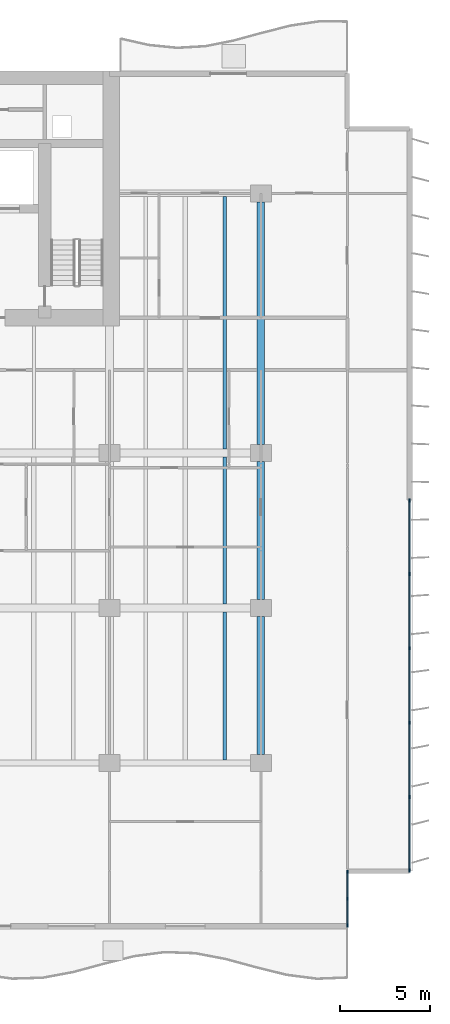
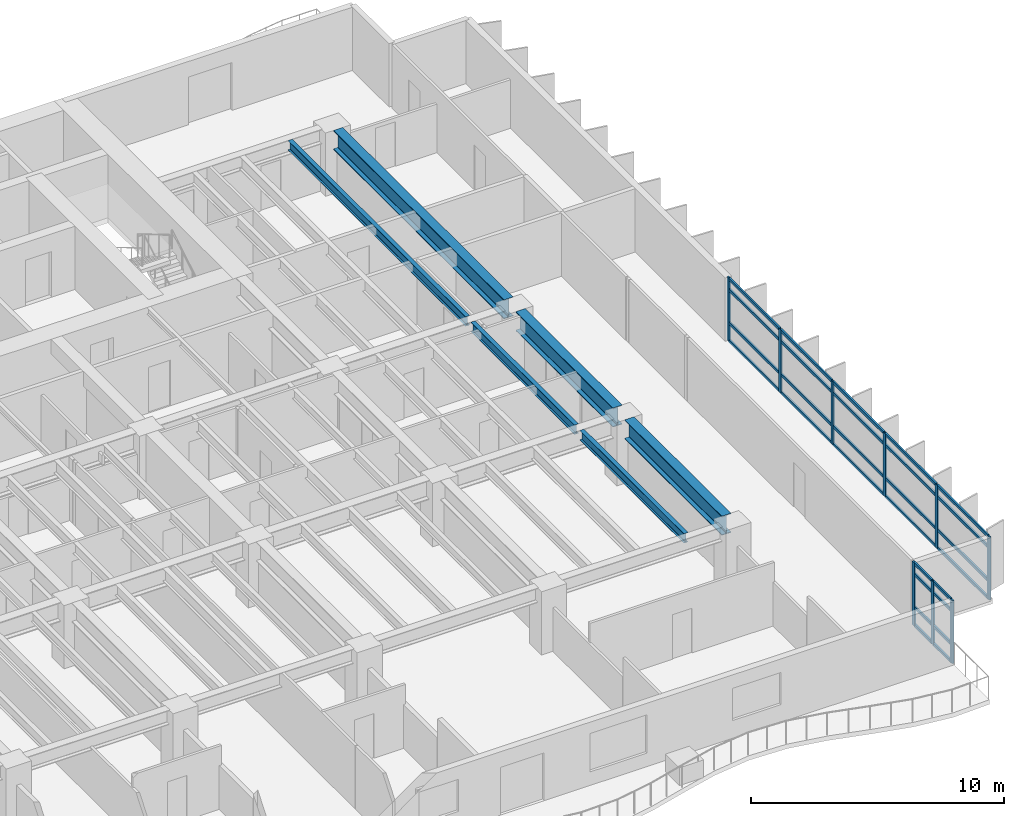
# One storey, part 4 of 18: 37 members, 6 beams, 2 elements without a shape of their own.
"""IFC4 building model written with IfcOpenShell, lengths in metres."""

from ifc_helpers import new_model, si_unit, direction, frame, origin, origin_2d, place, context, subcontext, project, spatial, rectangle, i_section, extrude, material, layer, layer_set, material_profile, profile_set, type_object, element, aggregate, save


model = new_model("IFC4")

# Units and contexts
model_context = context("Model", 3, precision=1e-05, world=origin(), true_north=direction((0.0, 1.0)))
body_context = subcontext(model_context, "Body", "Model", "MODEL_VIEW")
ifc_project = project(units=[si_unit("LENGTHUNIT", "METRE"), si_unit("AREAUNIT", "SQUARE_METRE"), si_unit("VOLUMEUNIT", "CUBIC_METRE"), si_unit("PLANEANGLEUNIT", "RADIAN"), si_unit("MASSUNIT", "GRAM", prefix="KILO")], contexts=[model_context])

# Site, building, storey
site_placement = place(None, origin())
site = spatial("IfcSite", under=ifc_project, at=site_placement, CompositionType="ELEMENT")
building_placement = place(site_placement, origin())
building = spatial("IfcBuilding", under=site, at=building_placement, Name="Caelmar Bay Residences", CompositionType="ELEMENT")
storey_placement = place(building_placement, frame((0.0, 0.0, 39.89990234375)))
storey = spatial("IfcBuildingStorey", under=building, at=storey_placement, Name="L09", CompositionType="ELEMENT", Elevation=39.89990234375)

# Beams
ifc_material_1 = material(Name="Steel ASTM A992 Grade 50", Category="steel")
ifc_material_profile_1 = material_profile(ifc_material_1, i_section(OverallWidth=0.422119140625, OverallDepth=0.925048828125, WebThickness=0.021240234375, FlangeThickness=0.03662109375, FilletRadius=0.020263671875, at=origin_2d()), Name="W36X262")
ifc_profile_set_1 = profile_set([ifc_material_profile_1], Name="Steel ASTM A992 Grade 50")
beam_type_1 = type_object("IfcBeamType", Name="BM-GRD-W36X262", PredefinedType="BEAM", material=ifc_profile_set_1)
beam_1_placement = place(storey_placement, frame((67.89990234375, 12.6650390625, 2.587646484375), z_axis=(0.0, 1.0, 0.0), x_axis=(-1.0, 0.0, 0.0)))
element("IfcBeam", 1, at=beam_1_placement, inside=storey, type_object=beam_type_1, Name="L09 North-South Girder X=67.90 (12.2-20.8)", PredefinedType="BEAM", context=body_context, shape_type="SweptSolid", body=[
    extrude(i_section(OverallWidth=0.422119140625, OverallDepth=0.925048828125, WebThickness=0.021240234375, FlangeThickness=0.03662109375, FilletRadius=0.020263671875, at=origin_2d()), origin(), (0.0, 0.0, 1.0), 7.669921875),
])
beam_2_placement = place(storey_placement, frame((67.89990234375, 21.264892578125, 2.587646484375), z_axis=(0.0, 1.0, 0.0), x_axis=(-1.0, 0.0, 0.0)))
element("IfcBeam", 2, at=beam_2_placement, inside=storey, type_object=beam_type_1, Name="L09 North-South Girder X=67.90 (20.8-29.4)", PredefinedType="BEAM", context=body_context, shape_type="SweptSolid", body=[
    extrude(i_section(OverallWidth=0.422119140625, OverallDepth=0.925048828125, WebThickness=0.021240234375, FlangeThickness=0.03662109375, FilletRadius=0.020263671875, at=origin_2d()), origin(), (0.0, 0.0, 1.0), 7.670166015625),
])
beam_3_placement = place(storey_placement, frame((67.89990234375, 29.864990234375, 2.587646484375), z_axis=(0.0, 1.0, 0.0), x_axis=(-1.0, 0.0, 0.0)))
element("IfcBeam", 3, at=beam_3_placement, inside=storey, type_object=beam_type_1, Name="L09 North-South Girder X=67.90 (29.4-43.8)", PredefinedType="BEAM", context=body_context, shape_type="SweptSolid", body=[
    extrude(i_section(OverallWidth=0.422119140625, OverallDepth=0.925048828125, WebThickness=0.021240234375, FlangeThickness=0.03662109375, FilletRadius=0.020263671875, at=origin_2d()), origin(), (0.0, 0.0, 1.0), 13.469970703125),
])
ifc_material_profile_2 = material_profile(ifc_material_1, i_section(OverallWidth=0.19091796875, OverallDepth=0.45703125, WebThickness=0.009033203125, FlangeThickness=0.014404296875, FilletRadius=0.01025390625, at=origin_2d()), Name="W18X50")
ifc_profile_set_2 = profile_set([ifc_material_profile_2], Name="Steel ASTM A992 Grade 50")
beam_type_2 = type_object("IfcBeamType", Name="BM-JST-W18X50", PredefinedType="JOIST", material=ifc_profile_set_2)
beam_4_placement = place(storey_placement, frame((65.884033203125, 12.3779296875, 2.821533203125), z_axis=(0.0, 1.0, 0.0), x_axis=(-1.0, 0.0, 0.0)))
element("IfcBeam", 4, at=beam_4_placement, inside=storey, type_object=beam_type_2, Name="L09 Composite Floor Joist 21", PredefinedType="JOIST", context=body_context, shape_type="SweptSolid", body=[
    extrude(i_section(OverallWidth=0.19091796875, OverallDepth=0.45703125, WebThickness=0.009033203125, FlangeThickness=0.014404296875, FilletRadius=0.01025390625, at=origin_2d()), origin(), (0.0, 0.0, 1.0), 8.211181640625),
])
beam_5_placement = place(storey_placement, frame((65.884033203125, 21.010986328125, 2.821533203125), z_axis=(0.0, 1.0, 0.0), x_axis=(-1.0, 0.0, 0.0)))
element("IfcBeam", 5, at=beam_5_placement, inside=storey, type_object=beam_type_2, Name="L09 Composite Floor Joist 42", PredefinedType="JOIST", context=body_context, shape_type="SweptSolid", body=[
    extrude(i_section(OverallWidth=0.19091796875, OverallDepth=0.45703125, WebThickness=0.009033203125, FlangeThickness=0.014404296875, FilletRadius=0.01025390625, at=origin_2d()), origin(), (0.0, 0.0, 1.0), 8.177978515625),
])
beam_6_placement = place(storey_placement, frame((65.884033203125, 29.611083984375, 2.821533203125), z_axis=(0.0, 1.0, 0.0), x_axis=(-1.0, 0.0, 0.0)))
element("IfcBeam", 6, at=beam_6_placement, inside=storey, type_object=beam_type_2, Name="L09 Composite Floor Joist 53", PredefinedType="JOIST", context=body_context, shape_type="SweptSolid", body=[
    extrude(i_section(OverallWidth=0.19091796875, OverallDepth=0.45703125, WebThickness=0.009033203125, FlangeThickness=0.014404296875, FilletRadius=0.01025390625, at=origin_2d()), origin(), (0.0, 0.0, 1.0), 14.010986328125),
])

# Curtain wall, members
ifc_material_2 = material(Name="Anodised bronze aluminium 6063-T6 and laminated glass", Category="aluminium")
ifc_layer_1 = layer(ifc_material_2, 0.179931640625)
ifc_layer_set_1 = layer_set([ifc_layer_1], Name="Anodised bronze aluminium 6063-T6 and laminated glass")
curtain_wall_type_1 = type_object("IfcCurtainWallType", Name="CW6-NTC", PredefinedType="NOTDEFINED", material=ifc_layer_set_1)
curtain_wall_1_placement = place(storey_placement, origin())
curtain_wall_1 = element("IfcCurtainWall", 7, at=curtain_wall_1_placement, inside=storey, type_object=curtain_wall_type_1, Name="CW6 curtain wall L09", PredefinedType="NOTDEFINED")
ifc_material_3 = material(Name="Anodised bronze aluminium 6063-T6", Category="aluminium")
ifc_material_profile_3 = material_profile(ifc_material_3, rectangle(XDim=0.080078125, YDim=0.179931640625, at=origin_2d()), Name="CWM-80X180")
ifc_profile_set_3 = profile_set([ifc_material_profile_3], Name="Anodised bronze aluminium 6063-T6")
member_type_1 = type_object("IfcMemberType", Name="CWM-180", PredefinedType="MULLION", material=ifc_profile_set_3)
member_1_placement = place(storey_placement, frame((72.699951171875, 3.18994140625, 0.0), z_axis=(0.0, 0.0, 1.0), x_axis=(-1.0, 0.0, 0.0)))
member_1 = element("IfcMember", 8, at=member_1_placement, type_object=member_type_1, Name="CW6 mullion 1", PredefinedType="MULLION", context=body_context, shape_type="SweptSolid", body=[
    extrude(rectangle(XDim=0.080078125, YDim=0.179931640625, at=origin_2d()), origin(), (0.0, 0.0, 1.0), 3.050048828125),
])
member_2_placement = place(storey_placement, frame((72.699951171875, 4.675048828125, 0.0), z_axis=(0.0, 0.0, 1.0), x_axis=(-1.0, 0.0, 0.0)))
member_2 = element("IfcMember", 9, at=member_2_placement, type_object=member_type_1, Name="CW6 mullion 2", PredefinedType="MULLION", context=body_context, shape_type="SweptSolid", body=[
    extrude(rectangle(XDim=0.080078125, YDim=0.179931640625, at=origin_2d()), origin(), (0.0, 0.0, 1.0), 3.050048828125),
])
member_3_placement = place(storey_placement, frame((72.699951171875, 6.159912109375, 0.0), z_axis=(0.0, 0.0, 1.0), x_axis=(-1.0, 0.0, 0.0)))
member_3 = element("IfcMember", 10, at=member_3_placement, type_object=member_type_1, Name="CW6 mullion 3", PredefinedType="MULLION", context=body_context, shape_type="SweptSolid", body=[
    extrude(rectangle(XDim=0.080078125, YDim=0.179931640625, at=origin_2d()), origin(), (0.0, 0.0, 1.0), 3.050048828125),
])

ifc_layer_2 = layer(ifc_material_2, 0.179931640625)
ifc_layer_set_2 = layer_set([ifc_layer_2], Name="Anodised bronze aluminium 6063-T6 and laminated glass")
curtain_wall_type_2 = type_object("IfcCurtainWallType", Name="CW2-Z1", PredefinedType="NOTDEFINED", material=ifc_layer_set_2)
curtain_wall_2_placement = place(storey_placement, origin())
curtain_wall_2 = element("IfcCurtainWall", 11, at=curtain_wall_2_placement, inside=storey, type_object=curtain_wall_type_2, Name="CW2 curtain wall L09", PredefinedType="NOTDEFINED")
member_4_placement = place(storey_placement, frame((76.14990234375, 26.760009765625, 0.0), z_axis=(0.0, 0.0, 1.0), x_axis=(1.0, 0.0, 0.0)))
member_4 = element("IfcMember", 12, at=member_4_placement, type_object=member_type_1, Name="CW2 mullion 1", PredefinedType="MULLION", context=body_context, shape_type="SweptSolid", body=[
    extrude(rectangle(XDim=0.080078125, YDim=0.179931640625, at=origin_2d()), origin(), (0.0, 0.0, 1.0), 3.050048828125),
])
member_5_placement = place(storey_placement, frame((76.14990234375, 22.679931640625, 0.0), z_axis=(0.0, 0.0, 1.0), x_axis=(1.0, 0.0, 0.0)))
member_5 = element("IfcMember", 13, at=member_5_placement, type_object=member_type_1, Name="CW2 mullion 2", PredefinedType="MULLION", context=body_context, shape_type="SweptSolid", body=[
    extrude(rectangle(XDim=0.080078125, YDim=0.179931640625, at=origin_2d()), origin(), (0.0, 0.0, 1.0), 3.050048828125),
])
member_6_placement = place(storey_placement, frame((76.14990234375, 18.56005859375, 0.0), z_axis=(0.0, 0.0, 1.0), x_axis=(1.0, 0.0, 0.0)))
member_6 = element("IfcMember", 14, at=member_6_placement, type_object=member_type_1, Name="CW2 mullion 3", PredefinedType="MULLION", context=body_context, shape_type="SweptSolid", body=[
    extrude(rectangle(XDim=0.080078125, YDim=0.179931640625, at=origin_2d()), origin(), (0.0, 0.0, 1.0), 3.050048828125),
])
member_7_placement = place(storey_placement, frame((76.14990234375, 14.43994140625, 0.0), z_axis=(0.0, 0.0, 1.0), x_axis=(1.0, 0.0, 0.0)))
member_7 = element("IfcMember", 15, at=member_7_placement, type_object=member_type_1, Name="CW2 mullion 4", PredefinedType="MULLION", context=body_context, shape_type="SweptSolid", body=[
    extrude(rectangle(XDim=0.080078125, YDim=0.179931640625, at=origin_2d()), origin(), (0.0, 0.0, 1.0), 3.050048828125),
])
member_8_placement = place(storey_placement, frame((76.14990234375, 10.320068359375, 0.0), z_axis=(0.0, 0.0, 1.0), x_axis=(1.0, 0.0, 0.0)))
member_8 = element("IfcMember", 16, at=member_8_placement, type_object=member_type_1, Name="CW2 mullion 5", PredefinedType="MULLION", context=body_context, shape_type="SweptSolid", body=[
    extrude(rectangle(XDim=0.080078125, YDim=0.179931640625, at=origin_2d()), origin(), (0.0, 0.0, 1.0), 3.050048828125),
])
member_9_placement = place(storey_placement, frame((76.14990234375, 6.239990234375, 0.0), z_axis=(0.0, 0.0, 1.0), x_axis=(1.0, 0.0, 0.0)))
member_9 = element("IfcMember", 17, at=member_9_placement, type_object=member_type_1, Name="CW2 mullion 6", PredefinedType="MULLION", context=body_context, shape_type="SweptSolid", body=[
    extrude(rectangle(XDim=0.080078125, YDim=0.179931640625, at=origin_2d()), origin(), (0.0, 0.0, 1.0), 3.050048828125),
])

# Member
ifc_material_profile_4 = material_profile(ifc_material_3, rectangle(XDim=0.080078125, YDim=0.139892578125, at=origin_2d()), Name="CWT-80X140")
ifc_profile_set_4 = profile_set([ifc_material_profile_4], Name="Anodised bronze aluminium 6063-T6")
member_type_2 = type_object("IfcMemberType", Name="CWT-140", PredefinedType="NOTDEFINED", material=ifc_profile_set_4)
member_10_placement = place(storey_placement, frame((72.699951171875, 3.22998046875, 0.0400390625), z_axis=(0.0, 1.0, 0.0), x_axis=(-1.0, 0.0, 0.0)))
member_10 = element("IfcMember", 18, at=member_10_placement, type_object=member_type_2, Name="CW6 transom 1.1", ObjectType="TRANSOM", PredefinedType="USERDEFINED", context=body_context, shape_type="SweptSolid", body=[
    extrude(rectangle(XDim=0.080078125, YDim=0.139892578125, at=origin_2d()), origin(), (0.0, 0.0, 1.0), 1.405029296875),
])

member_11_placement = place(storey_placement, frame((72.699951171875, 3.22998046875, 0.900146484375), z_axis=(0.0, 1.0, 0.0), x_axis=(-1.0, 0.0, 0.0)))
member_11 = element("IfcMember", 19, at=member_11_placement, type_object=member_type_2, Name="CW6 transom 1.2", ObjectType="TRANSOM", PredefinedType="USERDEFINED", context=body_context, shape_type="SweptSolid", body=[
    extrude(rectangle(XDim=0.080078125, YDim=0.139892578125, at=origin_2d()), origin(), (0.0, 0.0, 1.0), 1.405029296875),
])

member_12_placement = place(storey_placement, frame((72.699951171875, 3.22998046875, 2.5), z_axis=(0.0, 1.0, 0.0), x_axis=(-1.0, 0.0, 0.0)))
member_12 = element("IfcMember", 20, at=member_12_placement, type_object=member_type_2, Name="CW6 transom 1.3", ObjectType="TRANSOM", PredefinedType="USERDEFINED", context=body_context, shape_type="SweptSolid", body=[
    extrude(rectangle(XDim=0.080078125, YDim=0.139892578125, at=origin_2d()), origin(), (0.0, 0.0, 1.0), 1.405029296875),
])

member_13_placement = place(storey_placement, frame((72.699951171875, 3.22998046875, 3.010009765625), z_axis=(0.0, 1.0, 0.0), x_axis=(-1.0, 0.0, 0.0)))
member_13 = element("IfcMember", 21, at=member_13_placement, type_object=member_type_2, Name="CW6 transom 1.4", ObjectType="TRANSOM", PredefinedType="USERDEFINED", context=body_context, shape_type="SweptSolid", body=[
    extrude(rectangle(XDim=0.080078125, YDim=0.139892578125, at=origin_2d()), origin(), (0.0, 0.0, 1.0), 1.405029296875),
])

member_14_placement = place(storey_placement, frame((72.699951171875, 4.715087890625, 0.0400390625), z_axis=(0.0, 1.0, 0.0), x_axis=(-1.0, 0.0, 0.0)))
member_14 = element("IfcMember", 22, at=member_14_placement, type_object=member_type_2, Name="CW6 transom 2.1", ObjectType="TRANSOM", PredefinedType="USERDEFINED", context=body_context, shape_type="SweptSolid", body=[
    extrude(rectangle(XDim=0.080078125, YDim=0.139892578125, at=origin_2d()), origin(), (0.0, 0.0, 1.0), 1.405029296875),
])

member_15_placement = place(storey_placement, frame((72.699951171875, 4.715087890625, 0.900146484375), z_axis=(0.0, 1.0, 0.0), x_axis=(-1.0, 0.0, 0.0)))
member_15 = element("IfcMember", 23, at=member_15_placement, type_object=member_type_2, Name="CW6 transom 2.2", ObjectType="TRANSOM", PredefinedType="USERDEFINED", context=body_context, shape_type="SweptSolid", body=[
    extrude(rectangle(XDim=0.080078125, YDim=0.139892578125, at=origin_2d()), origin(), (0.0, 0.0, 1.0), 1.405029296875),
])

member_16_placement = place(storey_placement, frame((72.699951171875, 4.715087890625, 2.5), z_axis=(0.0, 1.0, 0.0), x_axis=(-1.0, 0.0, 0.0)))
member_16 = element("IfcMember", 24, at=member_16_placement, type_object=member_type_2, Name="CW6 transom 2.3", ObjectType="TRANSOM", PredefinedType="USERDEFINED", context=body_context, shape_type="SweptSolid", body=[
    extrude(rectangle(XDim=0.080078125, YDim=0.139892578125, at=origin_2d()), origin(), (0.0, 0.0, 1.0), 1.405029296875),
])

member_17_placement = place(storey_placement, frame((72.699951171875, 4.715087890625, 3.010009765625), z_axis=(0.0, 1.0, 0.0), x_axis=(-1.0, 0.0, 0.0)))
member_17 = element("IfcMember", 25, at=member_17_placement, type_object=member_type_2, Name="CW6 transom 2.4", ObjectType="TRANSOM", PredefinedType="USERDEFINED", context=body_context, shape_type="SweptSolid", body=[
    extrude(rectangle(XDim=0.080078125, YDim=0.139892578125, at=origin_2d()), origin(), (0.0, 0.0, 1.0), 1.405029296875),
])

aggregate(curtain_wall_1, [member_1, member_2, member_3, member_10, member_11, member_12, member_13, member_14, member_15, member_16, member_17])

member_18_placement = place(storey_placement, frame((76.14990234375, 26.719970703125, 0.0400390625), z_axis=(0.0, -1.0, 0.0), x_axis=(1.0, 0.0, 0.0)))
member_18 = element("IfcMember", 26, at=member_18_placement, type_object=member_type_2, Name="CW2 transom 1.1", ObjectType="TRANSOM", PredefinedType="USERDEFINED", context=body_context, shape_type="SweptSolid", body=[
    extrude(rectangle(XDim=0.080078125, YDim=0.139892578125, at=origin_2d()), origin(), (0.0, 0.0, 1.0), 4.0),
])

member_19_placement = place(storey_placement, frame((76.14990234375, 26.719970703125, 0.900146484375), z_axis=(0.0, -1.0, 0.0), x_axis=(1.0, 0.0, 0.0)))
member_19 = element("IfcMember", 27, at=member_19_placement, type_object=member_type_2, Name="CW2 transom 1.2", ObjectType="TRANSOM", PredefinedType="USERDEFINED", context=body_context, shape_type="SweptSolid", body=[
    extrude(rectangle(XDim=0.080078125, YDim=0.139892578125, at=origin_2d()), origin(), (0.0, 0.0, 1.0), 4.0),
])

member_20_placement = place(storey_placement, frame((76.14990234375, 26.719970703125, 2.5), z_axis=(0.0, -1.0, 0.0), x_axis=(1.0, 0.0, 0.0)))
member_20 = element("IfcMember", 28, at=member_20_placement, type_object=member_type_2, Name="CW2 transom 1.3", ObjectType="TRANSOM", PredefinedType="USERDEFINED", context=body_context, shape_type="SweptSolid", body=[
    extrude(rectangle(XDim=0.080078125, YDim=0.139892578125, at=origin_2d()), origin(), (0.0, 0.0, 1.0), 4.0),
])

member_21_placement = place(storey_placement, frame((76.14990234375, 26.719970703125, 3.010009765625), z_axis=(0.0, -1.0, 0.0), x_axis=(1.0, 0.0, 0.0)))
member_21 = element("IfcMember", 29, at=member_21_placement, type_object=member_type_2, Name="CW2 transom 1.4", ObjectType="TRANSOM", PredefinedType="USERDEFINED", context=body_context, shape_type="SweptSolid", body=[
    extrude(rectangle(XDim=0.080078125, YDim=0.139892578125, at=origin_2d()), origin(), (0.0, 0.0, 1.0), 4.0),
])

member_22_placement = place(storey_placement, frame((76.14990234375, 22.639892578125, 0.0400390625), z_axis=(0.0, -1.0, 0.0), x_axis=(1.0, 0.0, 0.0)))
member_22 = element("IfcMember", 30, at=member_22_placement, type_object=member_type_2, Name="CW2 transom 2.1", ObjectType="TRANSOM", PredefinedType="USERDEFINED", context=body_context, shape_type="SweptSolid", body=[
    extrude(rectangle(XDim=0.080078125, YDim=0.139892578125, at=origin_2d()), origin(), (0.0, 0.0, 1.0), 4.039794921875),
])

member_23_placement = place(storey_placement, frame((76.14990234375, 22.639892578125, 0.900146484375), z_axis=(0.0, -1.0, 0.0), x_axis=(1.0, 0.0, 0.0)))
member_23 = element("IfcMember", 31, at=member_23_placement, type_object=member_type_2, Name="CW2 transom 2.2", ObjectType="TRANSOM", PredefinedType="USERDEFINED", context=body_context, shape_type="SweptSolid", body=[
    extrude(rectangle(XDim=0.080078125, YDim=0.139892578125, at=origin_2d()), origin(), (0.0, 0.0, 1.0), 4.039794921875),
])

member_24_placement = place(storey_placement, frame((76.14990234375, 22.639892578125, 2.5), z_axis=(0.0, -1.0, 0.0), x_axis=(1.0, 0.0, 0.0)))
member_24 = element("IfcMember", 32, at=member_24_placement, type_object=member_type_2, Name="CW2 transom 2.3", ObjectType="TRANSOM", PredefinedType="USERDEFINED", context=body_context, shape_type="SweptSolid", body=[
    extrude(rectangle(XDim=0.080078125, YDim=0.139892578125, at=origin_2d()), origin(), (0.0, 0.0, 1.0), 4.039794921875),
])

member_25_placement = place(storey_placement, frame((76.14990234375, 22.639892578125, 3.010009765625), z_axis=(0.0, -1.0, 0.0), x_axis=(1.0, 0.0, 0.0)))
member_25 = element("IfcMember", 33, at=member_25_placement, type_object=member_type_2, Name="CW2 transom 2.4", ObjectType="TRANSOM", PredefinedType="USERDEFINED", context=body_context, shape_type="SweptSolid", body=[
    extrude(rectangle(XDim=0.080078125, YDim=0.139892578125, at=origin_2d()), origin(), (0.0, 0.0, 1.0), 4.039794921875),
])

member_26_placement = place(storey_placement, frame((76.14990234375, 18.52001953125, 0.0400390625), z_axis=(0.0, -1.0, 0.0), x_axis=(1.0, 0.0, 0.0)))
member_26 = element("IfcMember", 34, at=member_26_placement, type_object=member_type_2, Name="CW2 transom 3.1", ObjectType="TRANSOM", PredefinedType="USERDEFINED", context=body_context, shape_type="SweptSolid", body=[
    extrude(rectangle(XDim=0.080078125, YDim=0.139892578125, at=origin_2d()), origin(), (0.0, 0.0, 1.0), 4.0400390625),
])

member_27_placement = place(storey_placement, frame((76.14990234375, 18.52001953125, 0.900146484375), z_axis=(0.0, -1.0, 0.0), x_axis=(1.0, 0.0, 0.0)))
member_27 = element("IfcMember", 35, at=member_27_placement, type_object=member_type_2, Name="CW2 transom 3.2", ObjectType="TRANSOM", PredefinedType="USERDEFINED", context=body_context, shape_type="SweptSolid", body=[
    extrude(rectangle(XDim=0.080078125, YDim=0.139892578125, at=origin_2d()), origin(), (0.0, 0.0, 1.0), 4.0400390625),
])

member_28_placement = place(storey_placement, frame((76.14990234375, 18.52001953125, 2.5), z_axis=(0.0, -1.0, 0.0), x_axis=(1.0, 0.0, 0.0)))
member_28 = element("IfcMember", 36, at=member_28_placement, type_object=member_type_2, Name="CW2 transom 3.3", ObjectType="TRANSOM", PredefinedType="USERDEFINED", context=body_context, shape_type="SweptSolid", body=[
    extrude(rectangle(XDim=0.080078125, YDim=0.139892578125, at=origin_2d()), origin(), (0.0, 0.0, 1.0), 4.0400390625),
])

member_29_placement = place(storey_placement, frame((76.14990234375, 18.52001953125, 3.010009765625), z_axis=(0.0, -1.0, 0.0), x_axis=(1.0, 0.0, 0.0)))
member_29 = element("IfcMember", 37, at=member_29_placement, type_object=member_type_2, Name="CW2 transom 3.4", ObjectType="TRANSOM", PredefinedType="USERDEFINED", context=body_context, shape_type="SweptSolid", body=[
    extrude(rectangle(XDim=0.080078125, YDim=0.139892578125, at=origin_2d()), origin(), (0.0, 0.0, 1.0), 4.0400390625),
])

member_30_placement = place(storey_placement, frame((76.14990234375, 14.39990234375, 0.0400390625), z_axis=(0.0, -1.0, 0.0), x_axis=(1.0, 0.0, 0.0)))
member_30 = element("IfcMember", 38, at=member_30_placement, type_object=member_type_2, Name="CW2 transom 4.1", ObjectType="TRANSOM", PredefinedType="USERDEFINED", context=body_context, shape_type="SweptSolid", body=[
    extrude(rectangle(XDim=0.080078125, YDim=0.139892578125, at=origin_2d()), origin(), (0.0, 0.0, 1.0), 4.039794921875),
])

member_31_placement = place(storey_placement, frame((76.14990234375, 14.39990234375, 0.900146484375), z_axis=(0.0, -1.0, 0.0), x_axis=(1.0, 0.0, 0.0)))
member_31 = element("IfcMember", 39, at=member_31_placement, type_object=member_type_2, Name="CW2 transom 4.2", ObjectType="TRANSOM", PredefinedType="USERDEFINED", context=body_context, shape_type="SweptSolid", body=[
    extrude(rectangle(XDim=0.080078125, YDim=0.139892578125, at=origin_2d()), origin(), (0.0, 0.0, 1.0), 4.039794921875),
])

member_32_placement = place(storey_placement, frame((76.14990234375, 14.39990234375, 2.5), z_axis=(0.0, -1.0, 0.0), x_axis=(1.0, 0.0, 0.0)))
member_32 = element("IfcMember", 40, at=member_32_placement, type_object=member_type_2, Name="CW2 transom 4.3", ObjectType="TRANSOM", PredefinedType="USERDEFINED", context=body_context, shape_type="SweptSolid", body=[
    extrude(rectangle(XDim=0.080078125, YDim=0.139892578125, at=origin_2d()), origin(), (0.0, 0.0, 1.0), 4.039794921875),
])

member_33_placement = place(storey_placement, frame((76.14990234375, 14.39990234375, 3.010009765625), z_axis=(0.0, -1.0, 0.0), x_axis=(1.0, 0.0, 0.0)))
member_33 = element("IfcMember", 41, at=member_33_placement, type_object=member_type_2, Name="CW2 transom 4.4", ObjectType="TRANSOM", PredefinedType="USERDEFINED", context=body_context, shape_type="SweptSolid", body=[
    extrude(rectangle(XDim=0.080078125, YDim=0.139892578125, at=origin_2d()), origin(), (0.0, 0.0, 1.0), 4.039794921875),
])

member_34_placement = place(storey_placement, frame((76.14990234375, 10.280029296875, 0.0400390625), z_axis=(0.0, -1.0, 0.0), x_axis=(1.0, 0.0, 0.0)))
member_34 = element("IfcMember", 42, at=member_34_placement, type_object=member_type_2, Name="CW2 transom 5.1", ObjectType="TRANSOM", PredefinedType="USERDEFINED", context=body_context, shape_type="SweptSolid", body=[
    extrude(rectangle(XDim=0.080078125, YDim=0.139892578125, at=origin_2d()), origin(), (0.0, 0.0, 1.0), 4.0),
])

member_35_placement = place(storey_placement, frame((76.14990234375, 10.280029296875, 0.900146484375), z_axis=(0.0, -1.0, 0.0), x_axis=(1.0, 0.0, 0.0)))
member_35 = element("IfcMember", 43, at=member_35_placement, type_object=member_type_2, Name="CW2 transom 5.2", ObjectType="TRANSOM", PredefinedType="USERDEFINED", context=body_context, shape_type="SweptSolid", body=[
    extrude(rectangle(XDim=0.080078125, YDim=0.139892578125, at=origin_2d()), origin(), (0.0, 0.0, 1.0), 4.0),
])

member_36_placement = place(storey_placement, frame((76.14990234375, 10.280029296875, 2.5), z_axis=(0.0, -1.0, 0.0), x_axis=(1.0, 0.0, 0.0)))
member_36 = element("IfcMember", 44, at=member_36_placement, type_object=member_type_2, Name="CW2 transom 5.3", ObjectType="TRANSOM", PredefinedType="USERDEFINED", context=body_context, shape_type="SweptSolid", body=[
    extrude(rectangle(XDim=0.080078125, YDim=0.139892578125, at=origin_2d()), origin(), (0.0, 0.0, 1.0), 4.0),
])

member_37_placement = place(storey_placement, frame((76.14990234375, 10.280029296875, 3.010009765625), z_axis=(0.0, -1.0, 0.0), x_axis=(1.0, 0.0, 0.0)))
member_37 = element("IfcMember", 45, at=member_37_placement, type_object=member_type_2, Name="CW2 transom 5.4", ObjectType="TRANSOM", PredefinedType="USERDEFINED", context=body_context, shape_type="SweptSolid", body=[
    extrude(rectangle(XDim=0.080078125, YDim=0.139892578125, at=origin_2d()), origin(), (0.0, 0.0, 1.0), 4.0),
])

aggregate(curtain_wall_2, [member_4, member_5, member_6, member_7, member_8, member_9, member_18, member_19, member_20, member_21, member_22, member_23, member_24, member_25, member_26, member_27, member_28, member_29, member_30, member_31, member_32, member_33, member_34, member_35, member_36, member_37])

save(model, "model.ifc")
